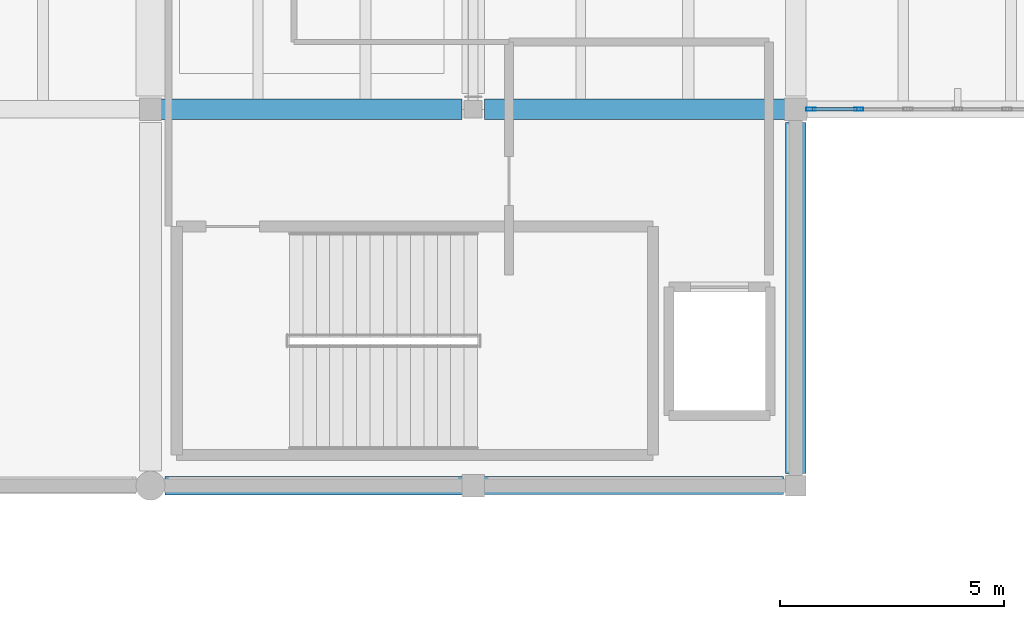
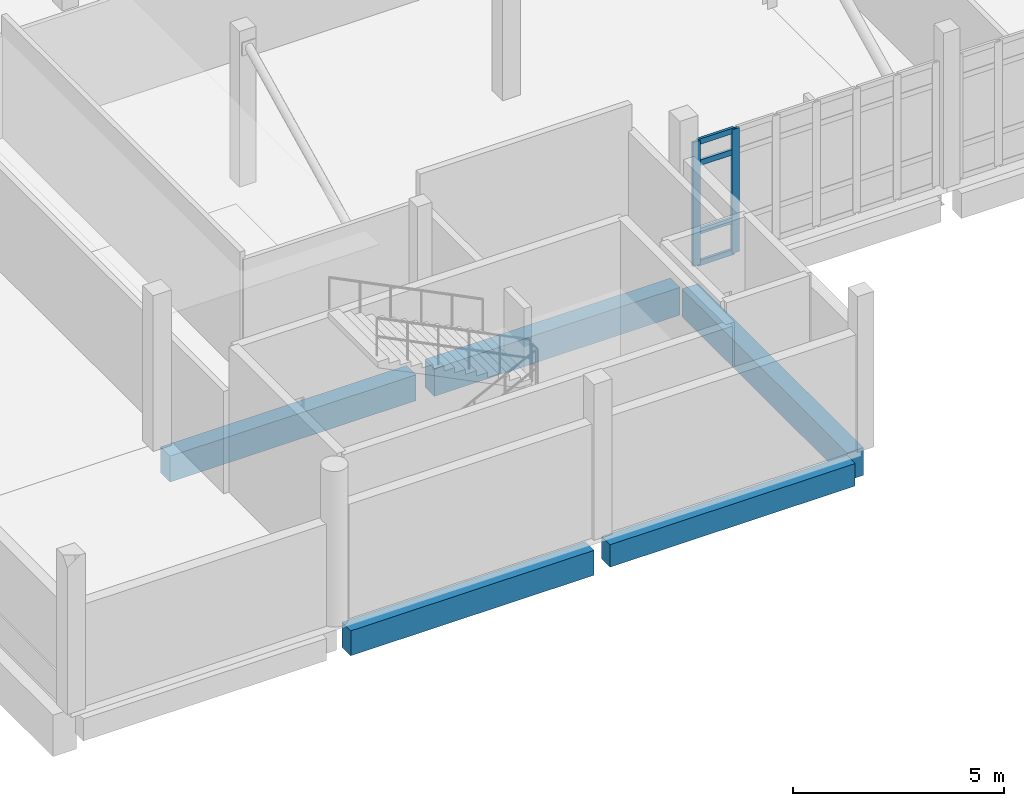
# One storey, part 7 of 34: 6 members, 5 beams, 1 element without a shape of its own.
"""IFC4 building model written with IfcOpenShell, lengths in metres."""

from ifc_helpers import new_model, si_unit, direction, frame, origin, origin_2d, place, context, subcontext, project, spatial, rectangle, hollow_rectangle, extrude, material, material_profile, profile_set, type_object, element, aggregate, save


model = new_model("IFC4")

# Units and contexts
model_context = context("Model", 3, precision=1e-05, world=origin(), true_north=direction((0.0, 1.0)))
body_context = subcontext(model_context, "Body", "Model", "MODEL_VIEW")
ifc_project = project(units=[si_unit("LENGTHUNIT", "METRE"), si_unit("AREAUNIT", "SQUARE_METRE"), si_unit("VOLUMEUNIT", "CUBIC_METRE"), si_unit("PLANEANGLEUNIT", "RADIAN"), si_unit("MASSUNIT", "GRAM", prefix="KILO")], contexts=[model_context])

# Site, building, storey
site_placement = place(None, origin())
site = spatial("IfcSite", under=ifc_project, at=site_placement, CompositionType="ELEMENT")
building_placement = place(site_placement, origin())
building = spatial("IfcBuilding", under=site, at=building_placement, Name="Kalluvel Institute of Natural Sciences", CompositionType="ELEMENT")
storey_placement = place(building_placement, frame((0.0, 0.0, 36.89990234375)))
storey = spatial("IfcBuildingStorey", under=building, at=storey_placement, Name="L08", CompositionType="ELEMENT", Elevation=36.89990234375)

# Beams
ifc_material_1 = material(Name="Concrete M40", Category="concrete")
ifc_material_profile_1 = material_profile(ifc_material_1, rectangle(XDim=0.39990234375, YDim=0.64990234375, at=origin_2d()), Name="RCB 400x650")
ifc_profile_set_1 = profile_set([ifc_material_profile_1], Name="Concrete M40")
beam_type_1 = type_object("IfcBeamType", Name="BM-RC400x650", PredefinedType="BEAM", material=ifc_profile_set_1)
beam_1_placement = place(storey_placement, frame((50.22509765625, 94.39990234375, -0.64501953125), z_axis=(1.0, 0.0, 0.0), x_axis=(0.0, 1.0, 0.0)))
element("IfcBeam", 1, at=beam_1_placement, inside=storey, type_object=beam_type_1, Name="L08 girder GIR-L08-EW-X500-Y944", PredefinedType="BEAM", context=body_context, shape_type="SweptSolid", body=[
    extrude(rectangle(XDim=0.39990234375, YDim=0.64990234375, at=origin_2d()), origin(), (0.0, 0.0, 1.0), 6.699951171875),
])
ifc_material_profile_2 = material_profile(ifc_material_1, rectangle(XDim=0.419921875, YDim=0.719970703125, at=origin_2d()), Name="RCB 420x720")
ifc_profile_set_2 = profile_set([ifc_material_profile_2], Name="Concrete M40")
beam_type_2 = type_object("IfcBeamType", Name="BM-RC420x720", PredefinedType="BEAM", material=ifc_profile_set_2)
beam_2_placement = place(storey_placement, frame((43.125, 94.39990234375, -0.679931640625), z_axis=(1.0, 0.0, 0.0), x_axis=(0.0, 1.0, 0.0)))
element("IfcBeam", 2, at=beam_2_placement, inside=storey, type_object=beam_type_2, Name="L08 girder GIR-L08-EW-X428-Y944", PredefinedType="BEAM", context=body_context, shape_type="SweptSolid", body=[
    extrude(rectangle(XDim=0.419921875, YDim=0.719970703125, at=origin_2d()), origin(), (0.0, 0.0, 1.0), 6.64990234375),
])
ifc_material_profile_3 = material_profile(ifc_material_1, rectangle(XDim=0.449951171875, YDim=0.75, at=origin_2d()), Name="RCB 450x750")
ifc_profile_set_3 = profile_set([ifc_material_profile_3], Name="Concrete M40")
beam_type_3 = type_object("IfcBeamType", Name="BM-RC450x750", PredefinedType="BEAM", material=ifc_profile_set_3)
beam_3_placement = place(storey_placement, frame((43.02490234375, 102.800048828125, -0.69482421875), z_axis=(1.0, 0.0, 0.0), x_axis=(0.0, 1.0, 0.0)))
element("IfcBeam", 3, at=beam_3_placement, inside=storey, type_object=beam_type_3, Name="L08 girder GIR-L08-EW-X428-Y1028", PredefinedType="BEAM", context=body_context, shape_type="SweptSolid", body=[
    extrude(rectangle(XDim=0.449951171875, YDim=0.75, at=origin_2d()), origin(), (0.0, 0.0, 1.0), 6.72509765625),
])
ifc_material_profile_4 = material_profile(ifc_material_1, rectangle(XDim=0.449951171875, YDim=0.800048828125, at=origin_2d()), Name="RCB 450x800")
ifc_profile_set_4 = profile_set([ifc_material_profile_4], Name="Concrete M40")
beam_type_4 = type_object("IfcBeamType", Name="BM-RC450x800", PredefinedType="BEAM", material=ifc_profile_set_4)
beam_4_placement = place(storey_placement, frame((50.25, 102.800048828125, -0.719970703125), z_axis=(1.0, 0.0, 0.0), x_axis=(0.0, 1.0, 0.0)))
element("IfcBeam", 4, at=beam_4_placement, inside=storey, type_object=beam_type_4, Name="L08 girder GIR-L08-EW-X500-Y1028", PredefinedType="BEAM", context=body_context, shape_type="SweptSolid", body=[
    extrude(rectangle(XDim=0.449951171875, YDim=0.800048828125, at=origin_2d()), origin(), (0.0, 0.0, 1.0), 6.72509765625),
])
beam_5_placement = place(storey_placement, frame((57.199951171875, 94.675048828125, -0.719970703125), z_axis=(0.0, 1.0, 0.0), x_axis=(-1.0, 0.0, 0.0)))
element("IfcBeam", 5, at=beam_5_placement, inside=storey, type_object=beam_type_4, Name="L08 girder GIR-L08-NS-X572-Y944", PredefinedType="BEAM", context=body_context, shape_type="SweptSolid", body=[
    extrude(rectangle(XDim=0.449951171875, YDim=0.800048828125, at=origin_2d()), origin(), (0.0, 0.0, 1.0), 7.824951171875),
])

# Curtain wall, members
ifc_material_2 = material(Name="Aluminium AW-6063 T6", Category="aluminium")
curtain_wall_type = type_object("IfcCurtainWallType", Name="CW-WET-45", PredefinedType="USERDEFINED", material=ifc_material_2)
curtain_wall_placement = place(storey_placement, origin())
curtain_wall = element("IfcCurtainWall", 6, at=curtain_wall_placement, inside=storey, type_object=curtain_wall_type, Name="L08 Gothic lancet curtain wall CWA-L08-X575-Y1028", ObjectType="UNITISED LANCET FACADE", PredefinedType="USERDEFINED")
ifc_material_profile_5 = material_profile(ifc_material_2, hollow_rectangle(XDim=0.070068359375, YDim=0.2099609375, WallThickness=0.0048828125, at=origin_2d()), Name="CWM 70x210")
ifc_profile_set_5 = profile_set([ifc_material_profile_5], Name="Aluminium AW-6063 T6")
member_type_1 = type_object("IfcMemberType", Name="CWM-70x210", PredefinedType="MULLION", material=ifc_profile_set_5)
member_1_placement = place(storey_placement, frame((57.534912109375, 102.800048828125, 0.0), z_axis=(0.0, 0.0, 1.0), x_axis=(0.0, 1.0, 0.0)))
member_1 = element("IfcMember", 7, at=member_1_placement, type_object=member_type_1, Name="CW-01 mullion 1", PredefinedType="MULLION", context=body_context, shape_type="SweptSolid", body=[
    extrude(hollow_rectangle(XDim=0.070068359375, YDim=0.2099609375, WallThickness=0.0048828125, at=origin_2d()), origin(), (0.0, 0.0, 1.0), 3.580078125),
])
member_2_placement = place(storey_placement, frame((58.604248046875, 102.800048828125, 0.0), z_axis=(0.0, 0.0, 1.0), x_axis=(0.0, 1.0, 0.0)))
member_2 = element("IfcMember", 8, at=member_2_placement, type_object=member_type_1, Name="CW-01 mullion 2", PredefinedType="MULLION", context=body_context, shape_type="SweptSolid", body=[
    extrude(hollow_rectangle(XDim=0.070068359375, YDim=0.2099609375, WallThickness=0.0048828125, at=origin_2d()), origin(), (0.0, 0.0, 1.0), 3.580078125),
])
ifc_material_profile_6 = material_profile(ifc_material_2, hollow_rectangle(XDim=0.070068359375, YDim=0.159912109375, WallThickness=0.0048828125, at=origin_2d()), Name="CWT 70x160")
ifc_profile_set_6 = profile_set([ifc_material_profile_6], Name="Aluminium AW-6063 T6")
member_type_2 = type_object("IfcMemberType", Name="CWT-70x160", PredefinedType="USERDEFINED", material=ifc_profile_set_6)
member_3_placement = place(storey_placement, frame((57.570068359375, 102.800048828125, 0.03515625), z_axis=(1.0, 0.0, 0.0), x_axis=(0.0, 1.0, 0.0)))
member_3 = element("IfcMember", 9, at=member_3_placement, type_object=member_type_2, Name="CW-01 transom 1.1", ObjectType="TRANSOM", PredefinedType="USERDEFINED", context=body_context, shape_type="SweptSolid", body=[
    extrude(hollow_rectangle(XDim=0.070068359375, YDim=0.159912109375, WallThickness=0.0048828125, at=origin_2d()), origin(), (0.0, 0.0, 1.0), 0.9990234375),
])
member_4_placement = place(storey_placement, frame((57.570068359375, 102.800048828125, 0.9501953125), z_axis=(1.0, 0.0, 0.0), x_axis=(0.0, 1.0, 0.0)))
member_4 = element("IfcMember", 10, at=member_4_placement, type_object=member_type_2, Name="CW-01 transom 1.2", ObjectType="TRANSOM", PredefinedType="USERDEFINED", context=body_context, shape_type="SweptSolid", body=[
    extrude(hollow_rectangle(XDim=0.070068359375, YDim=0.159912109375, WallThickness=0.0048828125, at=origin_2d()), origin(), (0.0, 0.0, 1.0), 0.9990234375),
])
member_5_placement = place(storey_placement, frame((57.570068359375, 102.800048828125, 2.93017578125), z_axis=(1.0, 0.0, 0.0), x_axis=(0.0, 1.0, 0.0)))
member_5 = element("IfcMember", 11, at=member_5_placement, type_object=member_type_2, Name="CW-01 transom 1.3", ObjectType="TRANSOM", PredefinedType="USERDEFINED", context=body_context, shape_type="SweptSolid", body=[
    extrude(hollow_rectangle(XDim=0.070068359375, YDim=0.159912109375, WallThickness=0.0048828125, at=origin_2d()), origin(), (0.0, 0.0, 1.0), 0.9990234375),
])
member_6_placement = place(storey_placement, frame((57.570068359375, 102.800048828125, 3.545166015625), z_axis=(1.0, 0.0, 0.0), x_axis=(0.0, 1.0, 0.0)))
member_6 = element("IfcMember", 12, at=member_6_placement, type_object=member_type_2, Name="CW-01 transom 1.4", ObjectType="TRANSOM", PredefinedType="USERDEFINED", context=body_context, shape_type="SweptSolid", body=[
    extrude(hollow_rectangle(XDim=0.070068359375, YDim=0.159912109375, WallThickness=0.0048828125, at=origin_2d()), origin(), (0.0, 0.0, 1.0), 0.9990234375),
])
aggregate(curtain_wall, [member_1, member_2, member_3, member_4, member_5, member_6])

save(model, "model.ifc")
